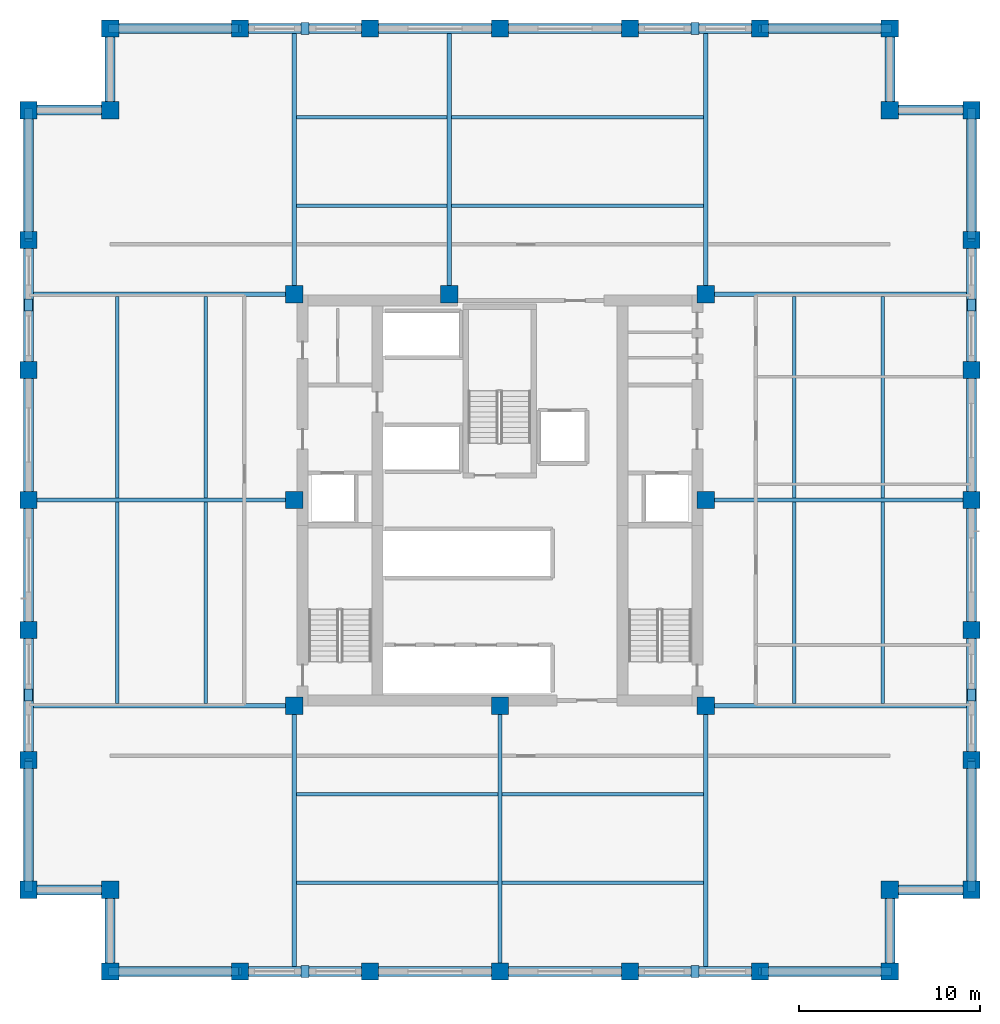
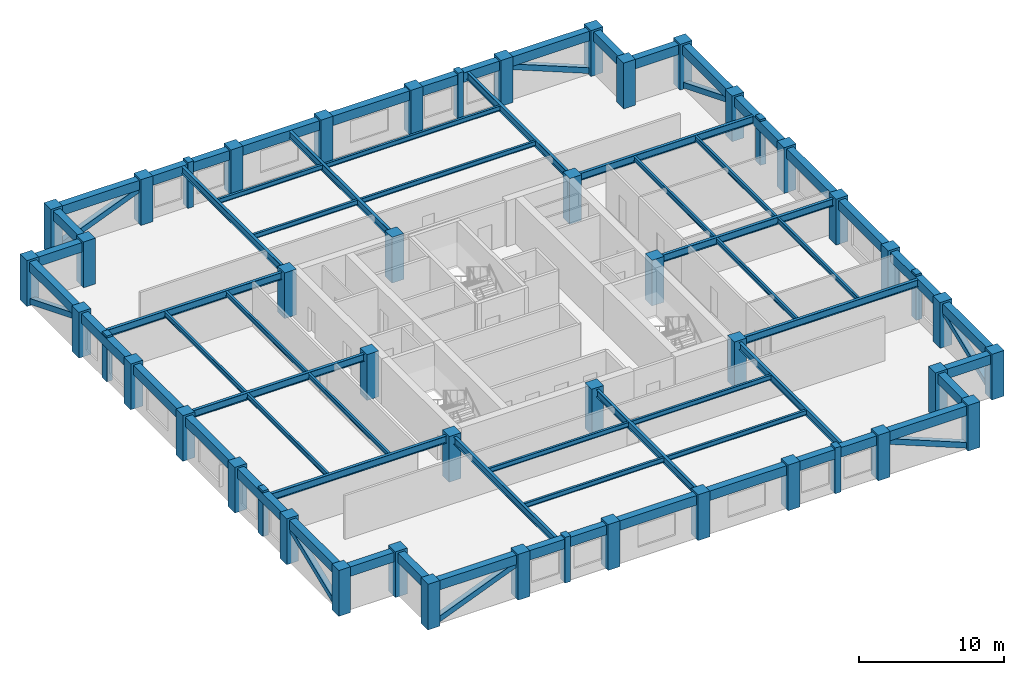
# One storey, part 1 of 9: 60 beams, 40 columns, 16 members.
"""IFC4 building model written with IfcOpenShell, lengths in metres."""

from ifc_helpers import new_model, si_unit, direction, frame, origin, origin_2d, place, context, subcontext, project, spatial, rectangle, hollow_rectangle, i_section, extrude, material, material_profile, profile_set, type_object, element, save


model = new_model("IFC4")

# Units and contexts
model_context = context("Model", 3, precision=1e-05, world=origin(), true_north=direction((0.0, 1.0)))
body_context = subcontext(model_context, "Body", "Model", "MODEL_VIEW")
ifc_project = project(units=[si_unit("LENGTHUNIT", "METRE"), si_unit("AREAUNIT", "SQUARE_METRE"), si_unit("VOLUMEUNIT", "CUBIC_METRE"), si_unit("PLANEANGLEUNIT", "RADIAN"), si_unit("MASSUNIT", "GRAM", prefix="KILO")], contexts=[model_context])

# Site, building, storey
site_placement = place(None, origin())
site = spatial("IfcSite", under=ifc_project, at=site_placement, CompositionType="ELEMENT")
building_placement = place(site_placement, origin())
building = spatial("IfcBuilding", under=site, at=building_placement, Name="Nhamokura Convention Tower", CompositionType="ELEMENT")
storey_placement = place(building_placement, frame((0.0, 0.0, 149.10009765625)))
storey = spatial("IfcBuildingStorey", under=building, at=storey_placement, Name="L36", CompositionType="ELEMENT", Elevation=149.10009765625)

# Columns
ifc_material_1 = material(Name="Concrete C60/75", Category="concrete")
ifc_material_profile_1 = material_profile(ifc_material_1, rectangle(XDim=0.949951171875, YDim=0.949951171875, at=origin_2d()))
ifc_profile_set_1 = profile_set([ifc_material_profile_1], Name="Concrete C60/75")
column_type = type_object("IfcColumnType", Name="TubeColumn_Z2_950", PredefinedType="COLUMN", material=ifc_profile_set_1)
for number, where, z_axis, x_axis, name in (
    (1, (20.64990234375, 20.64990234375, 0.0), (0.0, 0.0, 1.0), (1.0, 0.0, 0.0), "L36 Core Column CC-SW"),
    (2, (32.0, 20.64990234375, 0.0), (0.0, 0.0, 1.0), (1.0, 0.0, 0.0), "L36 Core Column CC-S"),
    (3, (43.35009765625, 20.64990234375, 0.0), (0.0, 0.0, 1.0), (1.0, 0.0, 0.0), "L36 Core Column CC-SE"),
    (4, (43.35009765625, 32.0, 0.0), (0.0, 0.0, 1.0), (1.0, 0.0, 0.0), "L36 Core Column CC-E"),
    (5, (43.35009765625, 43.35009765625, 0.0), (0.0, 0.0, 1.0), (1.0, 0.0, 0.0), "L36 Core Column CC-NE"),
    (6, (29.199951171875, 43.35009765625, 0.0), (0.0, 0.0, 1.0), (1.0, 0.0, 0.0), "L36 Core Column CC-N"),
    (7, (20.64990234375, 43.35009765625, 0.0), (0.0, 0.0, 1.0), (1.0, 0.0, 0.0), "L36 Core Column CC-NW"),
    (8, (20.64990234375, 32.0, 0.0), (0.0, 0.0, 1.0), (1.0, 0.0, 0.0), "L36 Core Column CC-W"),
    (9, (10.5, 6.0, 0.0), (0.0, 0.0, 1.0), (1.0, 0.0, 0.0), "L36 Perimeter Tube Column SW1"),
    (10, (10.5, 10.5, 0.0), (0.0, 0.0, 1.0), (1.0, 0.0, 0.0), "L36 Perimeter Tube Column SW0"),
    (11, (6.0, 10.5, 0.0), (0.0, 0.0, 1.0), (1.0, 0.0, 0.0), "L36 Perimeter Tube Column SW2"),
    (12, (53.5, 6.0, 0.0), (0.0, 0.0, 1.0), (1.0, 0.0, 0.0), "L36 Perimeter Tube Column SE1"),
    (13, (53.5, 10.5, 0.0), (0.0, 0.0, 1.0), (1.0, 0.0, 0.0), "L36 Perimeter Tube Column SE0"),
    (14, (58.0, 10.5, 0.0), (0.0, 0.0, 1.0), (1.0, 0.0, 0.0), "L36 Perimeter Tube Column SE2"),
    (15, (58.0, 53.5, 0.0), (0.0, 0.0, 1.0), (1.0, 0.0, 0.0), "L36 Perimeter Tube Column NE1"),
    (16, (53.5, 53.5, 0.0), (0.0, 0.0, 1.0), (1.0, 0.0, 0.0), "L36 Perimeter Tube Column NE0"),
    (17, (53.5, 58.0, 0.0), (0.0, 0.0, 1.0), (1.0, 0.0, 0.0), "L36 Perimeter Tube Column NE2"),
    (18, (10.5, 58.0, 0.0), (0.0, 0.0, 1.0), (1.0, 0.0, 0.0), "L36 Perimeter Tube Column NW1"),
    (19, (10.5, 53.5, 0.0), (0.0, 0.0, 1.0), (1.0, 0.0, 0.0), "L36 Perimeter Tube Column NW0"),
    (20, (6.0, 53.5, 0.0), (0.0, 0.0, 1.0), (1.0, 0.0, 0.0), "L36 Perimeter Tube Column NW2"),
    (21, (17.666748046875, 6.0, 0.0), (0.0, 0.0, 1.0), (1.0, 0.0, 0.0), "L36 Perimeter Tube Column S1"),
    (22, (17.666748046875, 58.0, 0.0), (0.0, 0.0, 1.0), (1.0, 0.0, 0.0), "L36 Perimeter Tube Column N1"),
    (23, (6.0, 17.666748046875, 0.0), (0.0, 0.0, 1.0), (1.0, 0.0, 0.0), "L36 Perimeter Tube Column W1"),
    (24, (58.0, 17.666748046875, 0.0), (0.0, 0.0, 1.0), (1.0, 0.0, 0.0), "L36 Perimeter Tube Column E1"),
    (25, (24.833251953125, 6.0, 0.0), (0.0, 0.0, 1.0), (1.0, 0.0, 0.0), "L36 Perimeter Tube Column S2"),
    (26, (24.833251953125, 58.0, 0.0), (0.0, 0.0, 1.0), (1.0, 0.0, 0.0), "L36 Perimeter Tube Column N2"),
    (27, (6.0, 24.833251953125, 0.0), (0.0, 0.0, 1.0), (1.0, 0.0, 0.0), "L36 Perimeter Tube Column W2"),
    (28, (58.0, 24.833251953125, 0.0), (0.0, 0.0, 1.0), (1.0, 0.0, 0.0), "L36 Perimeter Tube Column E2"),
    (29, (32.0, 6.0, 0.0), (0.0, 0.0, 1.0), (1.0, 0.0, 0.0), "L36 Perimeter Tube Column S3"),
    (30, (32.0, 58.0, 0.0), (0.0, 0.0, 1.0), (1.0, 0.0, 0.0), "L36 Perimeter Tube Column N3"),
    (31, (6.0, 32.0, 0.0), (0.0, 0.0, 1.0), (1.0, 0.0, 0.0), "L36 Perimeter Tube Column W3"),
    (32, (58.0, 32.0, 0.0), (0.0, 0.0, 1.0), (1.0, 0.0, 0.0), "L36 Perimeter Tube Column E3"),
    (33, (39.166748046875, 6.0, 0.0), (0.0, 0.0, 1.0), (1.0, 0.0, 0.0), "L36 Perimeter Tube Column S4"),
    (34, (39.166748046875, 58.0, 0.0), (0.0, 0.0, 1.0), (1.0, 0.0, 0.0), "L36 Perimeter Tube Column N4"),
    (35, (6.0, 39.166748046875, 0.0), (0.0, 0.0, 1.0), (1.0, 0.0, 0.0), "L36 Perimeter Tube Column W4"),
    (36, (58.0, 39.166748046875, 0.0), (0.0, 0.0, 1.0), (1.0, 0.0, 0.0), "L36 Perimeter Tube Column E4"),
    (37, (46.333251953125, 6.0, 0.0), (0.0, 0.0, 1.0), (1.0, 0.0, 0.0), "L36 Perimeter Tube Column S5"),
    (38, (46.333251953125, 58.0, 0.0), (0.0, 0.0, 1.0), (1.0, 0.0, 0.0), "L36 Perimeter Tube Column N5"),
    (39, (6.0, 46.333251953125, 0.0), (0.0, 0.0, 1.0), (1.0, 0.0, 0.0), "L36 Perimeter Tube Column W5"),
    (40, (58.0, 46.333251953125, 0.0), (0.0, 0.0, 1.0), (1.0, 0.0, 0.0), "L36 Perimeter Tube Column E5"),
):
    element("IfcColumn", number, at=place(storey_placement, frame(where, z_axis=z_axis, x_axis=x_axis)), inside=storey, type_object=column_type, Name=name, PredefinedType="COLUMN", context=body_context, shape_type="SweptSolid", body=[
        extrude(rectangle(XDim=0.949951171875, YDim=0.949951171875, at=origin_2d()), origin(), (0.0, 0.0, 1.0), 3.849853515625),
    ])

# Members
ifc_material_2 = material(Name="Bronze-pigmented precast concrete C45/55", Category="concrete")
ifc_material_profile_2 = material_profile(ifc_material_2, rectangle(XDim=0.449951171875, YDim=0.64990234375, at=origin_2d()))
ifc_profile_set_2 = profile_set([ifc_material_profile_2], Name="Bronze-pigmented precast concrete C45/55")
member_type_1 = type_object("IfcMemberType", Name="BronzePilaster_650", PredefinedType="USERDEFINED", material=ifc_profile_set_2)
for number, where, z_axis, x_axis, name in (
    (41, (21.25, 6.0, 0.0), (0.0, 0.0, 1.0), (1.0, 0.0, 0.0), "L36 Engaged Frame Pilaster SOUTH 1"),
    (42, (42.75, 6.0, 0.0), (0.0, 0.0, 1.0), (1.0, 0.0, 0.0), "L36 Engaged Frame Pilaster SOUTH 4"),
    (43, (21.25, 58.0, 0.0), (0.0, 0.0, 1.0), (1.0, 0.0, 0.0), "L36 Engaged Frame Pilaster NORTH 1"),
    (44, (42.75, 58.0, 0.0), (0.0, 0.0, 1.0), (1.0, 0.0, 0.0), "L36 Engaged Frame Pilaster NORTH 4"),
    (45, (6.0, 21.25, 0.0), (0.0, 0.0, 1.0), (1.0, 0.0, 0.0), "L36 Engaged Frame Pilaster WEST 1"),
    (46, (6.0, 42.75, 0.0), (0.0, 0.0, 1.0), (1.0, 0.0, 0.0), "L36 Engaged Frame Pilaster WEST 4"),
    (47, (58.0, 21.25, 0.0), (0.0, 0.0, 1.0), (1.0, 0.0, 0.0), "L36 Engaged Frame Pilaster EAST 1"),
    (48, (58.0, 42.75, 0.0), (0.0, 0.0, 1.0), (1.0, 0.0, 0.0), "L36 Engaged Frame Pilaster EAST 4"),
):
    element("IfcMember", number, at=place(storey_placement, frame(where, z_axis=z_axis, x_axis=x_axis)), inside=storey, type_object=member_type_1, Name=name, ObjectType="PILASTER_TRIM", PredefinedType="USERDEFINED", context=body_context, shape_type="SweptSolid", body=[
        extrude(rectangle(XDim=0.449951171875, YDim=0.64990234375, at=origin_2d()), origin(), (0.0, 0.0, 1.0), 3.849853515625),
    ])

# Beams
ifc_material_3 = material(Name="Steel ASTM A992 Gr 50", Category="steel")
ifc_material_profile_3 = material_profile(ifc_material_3, i_section(OverallWidth=0.177001953125, OverallDepth=0.403076171875, WebThickness=0.007568359375, FlangeThickness=0.010986328125, at=origin_2d()))
ifc_profile_set_3 = profile_set([ifc_material_profile_3], Name="Steel ASTM A992 Gr 50")
beam_type_1 = type_object("IfcBeamType", Name="FloorJoist_W410X53", PredefinedType="JOIST", material=ifc_profile_set_3)
for number, where, z_axis, x_axis, name in (
    (49, (20.761962890625, 10.88330078125, 3.4833984375), (1.0, 0.0, 0.0), (0.0, 1.0, 0.0), "L36 Composite Floor Joist S1A"),
    (50, (32.112060546875, 10.88330078125, 3.4833984375), (1.0, 0.0, 0.0), (0.0, 1.0, 0.0), "L36 Composite Floor Joist S1B"),
    (51, (20.761962890625, 15.7666015625, 3.4833984375), (1.0, 0.0, 0.0), (0.0, 1.0, 0.0), "L36 Composite Floor Joist S2A"),
    (52, (32.112060546875, 15.7666015625, 3.4833984375), (1.0, 0.0, 0.0), (0.0, 1.0, 0.0), "L36 Composite Floor Joist S2B"),
):
    element("IfcBeam", number, at=place(storey_placement, frame(where, z_axis=z_axis, x_axis=x_axis)), inside=storey, type_object=beam_type_1, Name=name, PredefinedType="JOIST", context=body_context, shape_type="SweptSolid", body=[
        extrude(i_section(OverallWidth=0.177001953125, OverallDepth=0.403076171875, WebThickness=0.007568359375, FlangeThickness=0.010986328125, at=origin_2d()), origin(), (0.0, 0.0, 1.0), 11.1259765625),
    ])
beam_1_placement = place(storey_placement, frame((20.761962890625, 48.2333984375, 3.4833984375), z_axis=(1.0, 0.0, 0.0), x_axis=(0.0, 1.0, 0.0)))
element("IfcBeam", 53, at=beam_1_placement, inside=storey, type_object=beam_type_1, Name="L36 Composite Floor Joist N1A", PredefinedType="JOIST", context=body_context, shape_type="SweptSolid", body=[
    extrude(i_section(OverallWidth=0.177001953125, OverallDepth=0.403076171875, WebThickness=0.007568359375, FlangeThickness=0.010986328125, at=origin_2d()), origin(), (0.0, 0.0, 1.0), 8.325927734375),
])
beam_2_placement = place(storey_placement, frame((29.31201171875, 48.2333984375, 3.4833984375), z_axis=(1.0, 0.0, 0.0), x_axis=(0.0, 1.0, 0.0)))
element("IfcBeam", 54, at=beam_2_placement, inside=storey, type_object=beam_type_1, Name="L36 Composite Floor Joist N1B", PredefinedType="JOIST", context=body_context, shape_type="SweptSolid", body=[
    extrude(i_section(OverallWidth=0.177001953125, OverallDepth=0.403076171875, WebThickness=0.007568359375, FlangeThickness=0.010986328125, at=origin_2d()), origin(), (0.0, 0.0, 1.0), 13.926025390625),
])
beam_3_placement = place(storey_placement, frame((20.761962890625, 53.11669921875, 3.4833984375), z_axis=(1.0, 0.0, 0.0), x_axis=(0.0, 1.0, 0.0)))
element("IfcBeam", 55, at=beam_3_placement, inside=storey, type_object=beam_type_1, Name="L36 Composite Floor Joist N2A", PredefinedType="JOIST", context=body_context, shape_type="SweptSolid", body=[
    extrude(i_section(OverallWidth=0.177001953125, OverallDepth=0.403076171875, WebThickness=0.007568359375, FlangeThickness=0.010986328125, at=origin_2d()), origin(), (0.0, 0.0, 1.0), 8.325927734375),
])
beam_4_placement = place(storey_placement, frame((29.31201171875, 53.11669921875, 3.4833984375), z_axis=(1.0, 0.0, 0.0), x_axis=(0.0, 1.0, 0.0)))
element("IfcBeam", 56, at=beam_4_placement, inside=storey, type_object=beam_type_1, Name="L36 Composite Floor Joist N2B", PredefinedType="JOIST", context=body_context, shape_type="SweptSolid", body=[
    extrude(i_section(OverallWidth=0.177001953125, OverallDepth=0.403076171875, WebThickness=0.007568359375, FlangeThickness=0.010986328125, at=origin_2d()), origin(), (0.0, 0.0, 1.0), 13.926025390625),
])
for number, where, z_axis, x_axis, name in (
    (57, (10.88330078125, 20.761962890625, 3.4833984375), (0.0, 1.0, 0.0), (-1.0, 0.0, 0.0), "L36 Composite Floor Joist W1A"),
    (58, (10.88330078125, 32.112060546875, 3.4833984375), (0.0, 1.0, 0.0), (-1.0, 0.0, 0.0), "L36 Composite Floor Joist W1B"),
    (59, (15.7666015625, 20.761962890625, 3.4833984375), (0.0, 1.0, 0.0), (-1.0, 0.0, 0.0), "L36 Composite Floor Joist W2A"),
    (60, (15.7666015625, 32.112060546875, 3.4833984375), (0.0, 1.0, 0.0), (-1.0, 0.0, 0.0), "L36 Composite Floor Joist W2B"),
    (61, (48.2333984375, 20.761962890625, 3.4833984375), (0.0, 1.0, 0.0), (-1.0, 0.0, 0.0), "L36 Composite Floor Joist E1A"),
    (62, (48.2333984375, 32.112060546875, 3.4833984375), (0.0, 1.0, 0.0), (-1.0, 0.0, 0.0), "L36 Composite Floor Joist E1B"),
    (63, (53.11669921875, 20.761962890625, 3.4833984375), (0.0, 1.0, 0.0), (-1.0, 0.0, 0.0), "L36 Composite Floor Joist E2A"),
    (64, (53.11669921875, 32.112060546875, 3.4833984375), (0.0, 1.0, 0.0), (-1.0, 0.0, 0.0), "L36 Composite Floor Joist E2B"),
):
    element("IfcBeam", number, at=place(storey_placement, frame(where, z_axis=z_axis, x_axis=x_axis)), inside=storey, type_object=beam_type_1, Name=name, PredefinedType="JOIST", context=body_context, shape_type="SweptSolid", body=[
        extrude(i_section(OverallWidth=0.177001953125, OverallDepth=0.403076171875, WebThickness=0.007568359375, FlangeThickness=0.010986328125, at=origin_2d()), origin(), (0.0, 0.0, 1.0), 11.1259765625),
    ])
ifc_material_4 = material(Name="Steel ASTM A992 Gr 50", Category="steel")
ifc_material_profile_4 = material_profile(ifc_material_4, i_section(OverallWidth=0.22802734375, OverallDepth=0.60791015625, WebThickness=0.01123046875, FlangeThickness=0.017333984375, at=origin_2d()))
ifc_profile_set_4 = profile_set([ifc_material_profile_4], Name="Steel ASTM A992 Gr 50")
beam_type_2 = type_object("IfcBeamType", Name="PrimaryGirder_W610X113", PredefinedType="BEAM", material=ifc_profile_set_4)
for number, where, z_axis, x_axis, name in (
    (65, (20.64990234375, 6.0, 3.380859375), (0.0, 1.0, 0.0), (-1.0, 0.0, 0.0), "L36 Primary Floor Girder PG-S1"),
    (66, (32.0, 6.0, 3.380859375), (0.0, 1.0, 0.0), (-1.0, 0.0, 0.0), "L36 Primary Floor Girder PG-S2"),
    (67, (43.35009765625, 6.0, 3.380859375), (0.0, 1.0, 0.0), (-1.0, 0.0, 0.0), "L36 Primary Floor Girder PG-S3"),
    (68, (20.64990234375, 43.35009765625, 3.380859375), (0.0, 1.0, 0.0), (-1.0, 0.0, 0.0), "L36 Primary Floor Girder PG-N1"),
    (69, (29.199951171875, 43.35009765625, 3.380859375), (0.0, 1.0, 0.0), (-1.0, 0.0, 0.0), "L36 Primary Floor Girder PG-N2"),
    (70, (43.35009765625, 43.35009765625, 3.380859375), (0.0, 1.0, 0.0), (-1.0, 0.0, 0.0), "L36 Primary Floor Girder PG-N3"),
    (71, (6.0, 20.64990234375, 3.380859375), (1.0, 0.0, 0.0), (0.0, 1.0, 0.0), "L36 Primary Floor Girder PG-W1"),
    (72, (6.0, 32.0, 3.380859375), (1.0, 0.0, 0.0), (0.0, 1.0, 0.0), "L36 Primary Floor Girder PG-W2"),
    (73, (6.0, 43.35009765625, 3.380859375), (1.0, 0.0, 0.0), (0.0, 1.0, 0.0), "L36 Primary Floor Girder PG-W3"),
    (74, (43.35009765625, 20.64990234375, 3.380859375), (1.0, 0.0, 0.0), (0.0, 1.0, 0.0), "L36 Primary Floor Girder PG-E1"),
    (75, (43.35009765625, 32.0, 3.380859375), (1.0, 0.0, 0.0), (0.0, 1.0, 0.0), "L36 Primary Floor Girder PG-E2"),
    (76, (43.35009765625, 43.35009765625, 3.380859375), (1.0, 0.0, 0.0), (0.0, 1.0, 0.0), "L36 Primary Floor Girder PG-E3"),
):
    element("IfcBeam", number, at=place(storey_placement, frame(where, z_axis=z_axis, x_axis=x_axis)), inside=storey, type_object=beam_type_2, Name=name, PredefinedType="BEAM", context=body_context, shape_type="SweptSolid", body=[
        extrude(i_section(OverallWidth=0.22802734375, OverallDepth=0.60791015625, WebThickness=0.01123046875, FlangeThickness=0.017333984375, at=origin_2d()), origin(), (0.0, 0.0, 1.0), 14.64990234375),
    ])

# Members
ifc_material_5 = material(Name="Steel ASTM A572 Gr 50", Category="steel")
ifc_material_profile_5 = material_profile(ifc_material_5, hollow_rectangle(XDim=0.449951171875, YDim=0.449951171875, WallThickness=0.02197265625, at=origin_2d()))
ifc_profile_set_5 = profile_set([ifc_material_profile_5], Name="Steel ASTM A572 Gr 50")
member_type_2 = type_object("IfcMemberType", Name="TubeBrace_HSS450", PredefinedType="BRACE", material=ifc_profile_set_5)
for number, where, z_axis, x_axis, name in (
    (77, (10.5, 6.0, 0.14990234375), (0.927657166893, 0.0, 0.373432966826), (0.0, 1.0, 0.0), "L36 Perimeter Tube Brace SOUTH Bay 0"),
    (78, (53.5, 6.0, 0.14990234375), (-0.927657166893, 0.0, 0.373432966826), (0.0, -1.0, 0.0), "L36 Perimeter Tube Brace SOUTH Bay 5"),
    (79, (10.5, 58.0, 0.14990234375), (0.927657166893, 0.0, 0.373432966826), (0.0, 1.0, 0.0), "L36 Perimeter Tube Brace NORTH Bay 0"),
    (80, (53.5, 58.0, 0.14990234375), (-0.927657166893, 0.0, 0.373432966826), (0.0, -1.0, 0.0), "L36 Perimeter Tube Brace NORTH Bay 5"),
    (81, (6.0, 10.5, 0.14990234375), (0.0, 0.927657166893, 0.373432966826), (-1.0, 0.0, 0.0), "L36 Perimeter Tube Brace WEST Bay 0"),
    (82, (6.0, 53.5, 0.14990234375), (0.0, -0.927657166893, 0.373432966826), (1.0, 0.0, 0.0), "L36 Perimeter Tube Brace WEST Bay 5"),
    (83, (58.0, 10.5, 0.14990234375), (0.0, 0.927657166893, 0.373432966826), (-1.0, 0.0, 0.0), "L36 Perimeter Tube Brace EAST Bay 0"),
    (84, (58.0, 53.5, 0.14990234375), (0.0, -0.927657166893, 0.373432966826), (1.0, 0.0, 0.0), "L36 Perimeter Tube Brace EAST Bay 5"),
):
    element("IfcMember", number, at=place(storey_placement, frame(where, z_axis=z_axis, x_axis=x_axis)), inside=storey, type_object=member_type_2, Name=name, PredefinedType="BRACE", context=body_context, shape_type="SweptSolid", body=[
        extrude(hollow_rectangle(XDim=0.449951171875, YDim=0.449951171875, WallThickness=0.02197265625, at=origin_2d()), origin(), (0.0, 0.0, 1.0), 7.7255859375),
    ])

# Beams
ifc_material_6 = material(Name="Concrete C50/60", Category="concrete")
ifc_material_profile_6 = material_profile(ifc_material_6, rectangle(XDim=0.550048828125, YDim=0.800048828125, at=origin_2d()))
ifc_profile_set_6 = profile_set([ifc_material_profile_6], Name="Concrete C50/60")
beam_type_3 = type_object("IfcBeamType", Name="TubeSpandrel_800", PredefinedType="SPANDREL", material=ifc_profile_set_6)
beam_5_placement = place(storey_placement, frame((10.5, 6.0, 3.284912109375), z_axis=(1.0, 0.0, 0.0), x_axis=(0.0, 1.0, 0.0)))
element("IfcBeam", 85, at=beam_5_placement, inside=storey, type_object=beam_type_3, Name="L36 Perimeter Spandrel SOUTH 1", PredefinedType="SPANDREL", context=body_context, shape_type="SweptSolid", body=[
    extrude(rectangle(XDim=0.550048828125, YDim=0.800048828125, at=origin_2d()), origin(), (0.0, 0.0, 1.0), 7.166748046875),
])
beam_6_placement = place(storey_placement, frame((17.666748046875, 6.0, 3.284912109375), z_axis=(1.0, 0.0, 0.0), x_axis=(0.0, 1.0, 0.0)))
element("IfcBeam", 86, at=beam_6_placement, inside=storey, type_object=beam_type_3, Name="L36 Perimeter Spandrel SOUTH 2", PredefinedType="SPANDREL", context=body_context, shape_type="SweptSolid", body=[
    extrude(rectangle(XDim=0.550048828125, YDim=0.800048828125, at=origin_2d()), origin(), (0.0, 0.0, 1.0), 7.16650390625),
])
for number, where, z_axis, x_axis, name in (
    (87, (24.833251953125, 6.0, 3.284912109375), (1.0, 0.0, 0.0), (0.0, 1.0, 0.0), "L36 Perimeter Spandrel SOUTH 3"),
    (88, (32.0, 6.0, 3.284912109375), (1.0, 0.0, 0.0), (0.0, 1.0, 0.0), "L36 Perimeter Spandrel SOUTH 4"),
):
    element("IfcBeam", number, at=place(storey_placement, frame(where, z_axis=z_axis, x_axis=x_axis)), inside=storey, type_object=beam_type_3, Name=name, PredefinedType="SPANDREL", context=body_context, shape_type="SweptSolid", body=[
        extrude(rectangle(XDim=0.550048828125, YDim=0.800048828125, at=origin_2d()), origin(), (0.0, 0.0, 1.0), 7.166748046875),
    ])
beam_7_placement = place(storey_placement, frame((39.166748046875, 6.0, 3.284912109375), z_axis=(1.0, 0.0, 0.0), x_axis=(0.0, 1.0, 0.0)))
element("IfcBeam", 89, at=beam_7_placement, inside=storey, type_object=beam_type_3, Name="L36 Perimeter Spandrel SOUTH 5", PredefinedType="SPANDREL", context=body_context, shape_type="SweptSolid", body=[
    extrude(rectangle(XDim=0.550048828125, YDim=0.800048828125, at=origin_2d()), origin(), (0.0, 0.0, 1.0), 7.16650390625),
])
for number, where, z_axis, x_axis, name in (
    (90, (46.333251953125, 6.0, 3.284912109375), (1.0, 0.0, 0.0), (0.0, 1.0, 0.0), "L36 Perimeter Spandrel SOUTH 6"),
    (91, (10.5, 58.0, 3.284912109375), (1.0, 0.0, 0.0), (0.0, 1.0, 0.0), "L36 Perimeter Spandrel NORTH 1"),
):
    element("IfcBeam", number, at=place(storey_placement, frame(where, z_axis=z_axis, x_axis=x_axis)), inside=storey, type_object=beam_type_3, Name=name, PredefinedType="SPANDREL", context=body_context, shape_type="SweptSolid", body=[
        extrude(rectangle(XDim=0.550048828125, YDim=0.800048828125, at=origin_2d()), origin(), (0.0, 0.0, 1.0), 7.166748046875),
    ])
beam_8_placement = place(storey_placement, frame((17.666748046875, 58.0, 3.284912109375), z_axis=(1.0, 0.0, 0.0), x_axis=(0.0, 1.0, 0.0)))
element("IfcBeam", 92, at=beam_8_placement, inside=storey, type_object=beam_type_3, Name="L36 Perimeter Spandrel NORTH 2", PredefinedType="SPANDREL", context=body_context, shape_type="SweptSolid", body=[
    extrude(rectangle(XDim=0.550048828125, YDim=0.800048828125, at=origin_2d()), origin(), (0.0, 0.0, 1.0), 7.16650390625),
])
for number, where, z_axis, x_axis, name in (
    (93, (24.833251953125, 58.0, 3.284912109375), (1.0, 0.0, 0.0), (0.0, 1.0, 0.0), "L36 Perimeter Spandrel NORTH 3"),
    (94, (32.0, 58.0, 3.284912109375), (1.0, 0.0, 0.0), (0.0, 1.0, 0.0), "L36 Perimeter Spandrel NORTH 4"),
):
    element("IfcBeam", number, at=place(storey_placement, frame(where, z_axis=z_axis, x_axis=x_axis)), inside=storey, type_object=beam_type_3, Name=name, PredefinedType="SPANDREL", context=body_context, shape_type="SweptSolid", body=[
        extrude(rectangle(XDim=0.550048828125, YDim=0.800048828125, at=origin_2d()), origin(), (0.0, 0.0, 1.0), 7.166748046875),
    ])
beam_9_placement = place(storey_placement, frame((39.166748046875, 58.0, 3.284912109375), z_axis=(1.0, 0.0, 0.0), x_axis=(0.0, 1.0, 0.0)))
element("IfcBeam", 95, at=beam_9_placement, inside=storey, type_object=beam_type_3, Name="L36 Perimeter Spandrel NORTH 5", PredefinedType="SPANDREL", context=body_context, shape_type="SweptSolid", body=[
    extrude(rectangle(XDim=0.550048828125, YDim=0.800048828125, at=origin_2d()), origin(), (0.0, 0.0, 1.0), 7.16650390625),
])
for number, where, z_axis, x_axis, name in (
    (96, (46.333251953125, 58.0, 3.284912109375), (1.0, 0.0, 0.0), (0.0, 1.0, 0.0), "L36 Perimeter Spandrel NORTH 6"),
    (97, (6.0, 10.5, 3.284912109375), (0.0, 1.0, 0.0), (-1.0, 0.0, 0.0), "L36 Perimeter Spandrel WEST 1"),
):
    element("IfcBeam", number, at=place(storey_placement, frame(where, z_axis=z_axis, x_axis=x_axis)), inside=storey, type_object=beam_type_3, Name=name, PredefinedType="SPANDREL", context=body_context, shape_type="SweptSolid", body=[
        extrude(rectangle(XDim=0.550048828125, YDim=0.800048828125, at=origin_2d()), origin(), (0.0, 0.0, 1.0), 7.166748046875),
    ])
beam_10_placement = place(storey_placement, frame((6.0, 17.666748046875, 3.284912109375), z_axis=(0.0, 1.0, 0.0), x_axis=(-1.0, 0.0, 0.0)))
element("IfcBeam", 98, at=beam_10_placement, inside=storey, type_object=beam_type_3, Name="L36 Perimeter Spandrel WEST 2", PredefinedType="SPANDREL", context=body_context, shape_type="SweptSolid", body=[
    extrude(rectangle(XDim=0.550048828125, YDim=0.800048828125, at=origin_2d()), origin(), (0.0, 0.0, 1.0), 7.16650390625),
])
for number, where, z_axis, x_axis, name in (
    (99, (6.0, 24.833251953125, 3.284912109375), (0.0, 1.0, 0.0), (-1.0, 0.0, 0.0), "L36 Perimeter Spandrel WEST 3"),
    (100, (6.0, 32.0, 3.284912109375), (0.0, 1.0, 0.0), (-1.0, 0.0, 0.0), "L36 Perimeter Spandrel WEST 4"),
):
    element("IfcBeam", number, at=place(storey_placement, frame(where, z_axis=z_axis, x_axis=x_axis)), inside=storey, type_object=beam_type_3, Name=name, PredefinedType="SPANDREL", context=body_context, shape_type="SweptSolid", body=[
        extrude(rectangle(XDim=0.550048828125, YDim=0.800048828125, at=origin_2d()), origin(), (0.0, 0.0, 1.0), 7.166748046875),
    ])
beam_11_placement = place(storey_placement, frame((6.0, 39.166748046875, 3.284912109375), z_axis=(0.0, 1.0, 0.0), x_axis=(-1.0, 0.0, 0.0)))
element("IfcBeam", 101, at=beam_11_placement, inside=storey, type_object=beam_type_3, Name="L36 Perimeter Spandrel WEST 5", PredefinedType="SPANDREL", context=body_context, shape_type="SweptSolid", body=[
    extrude(rectangle(XDim=0.550048828125, YDim=0.800048828125, at=origin_2d()), origin(), (0.0, 0.0, 1.0), 7.16650390625),
])
for number, where, z_axis, x_axis, name in (
    (102, (6.0, 46.333251953125, 3.284912109375), (0.0, 1.0, 0.0), (-1.0, 0.0, 0.0), "L36 Perimeter Spandrel WEST 6"),
    (103, (58.0, 10.5, 3.284912109375), (0.0, 1.0, 0.0), (-1.0, 0.0, 0.0), "L36 Perimeter Spandrel EAST 1"),
):
    element("IfcBeam", number, at=place(storey_placement, frame(where, z_axis=z_axis, x_axis=x_axis)), inside=storey, type_object=beam_type_3, Name=name, PredefinedType="SPANDREL", context=body_context, shape_type="SweptSolid", body=[
        extrude(rectangle(XDim=0.550048828125, YDim=0.800048828125, at=origin_2d()), origin(), (0.0, 0.0, 1.0), 7.166748046875),
    ])
beam_12_placement = place(storey_placement, frame((58.0, 17.666748046875, 3.284912109375), z_axis=(0.0, 1.0, 0.0), x_axis=(-1.0, 0.0, 0.0)))
element("IfcBeam", 104, at=beam_12_placement, inside=storey, type_object=beam_type_3, Name="L36 Perimeter Spandrel EAST 2", PredefinedType="SPANDREL", context=body_context, shape_type="SweptSolid", body=[
    extrude(rectangle(XDim=0.550048828125, YDim=0.800048828125, at=origin_2d()), origin(), (0.0, 0.0, 1.0), 7.16650390625),
])
for number, where, z_axis, x_axis, name in (
    (105, (58.0, 24.833251953125, 3.284912109375), (0.0, 1.0, 0.0), (-1.0, 0.0, 0.0), "L36 Perimeter Spandrel EAST 3"),
    (106, (58.0, 32.0, 3.284912109375), (0.0, 1.0, 0.0), (-1.0, 0.0, 0.0), "L36 Perimeter Spandrel EAST 4"),
):
    element("IfcBeam", number, at=place(storey_placement, frame(where, z_axis=z_axis, x_axis=x_axis)), inside=storey, type_object=beam_type_3, Name=name, PredefinedType="SPANDREL", context=body_context, shape_type="SweptSolid", body=[
        extrude(rectangle(XDim=0.550048828125, YDim=0.800048828125, at=origin_2d()), origin(), (0.0, 0.0, 1.0), 7.166748046875),
    ])
beam_13_placement = place(storey_placement, frame((58.0, 39.166748046875, 3.284912109375), z_axis=(0.0, 1.0, 0.0), x_axis=(-1.0, 0.0, 0.0)))
element("IfcBeam", 107, at=beam_13_placement, inside=storey, type_object=beam_type_3, Name="L36 Perimeter Spandrel EAST 5", PredefinedType="SPANDREL", context=body_context, shape_type="SweptSolid", body=[
    extrude(rectangle(XDim=0.550048828125, YDim=0.800048828125, at=origin_2d()), origin(), (0.0, 0.0, 1.0), 7.16650390625),
])
beam_14_placement = place(storey_placement, frame((58.0, 46.333251953125, 3.284912109375), z_axis=(0.0, 1.0, 0.0), x_axis=(-1.0, 0.0, 0.0)))
element("IfcBeam", 108, at=beam_14_placement, inside=storey, type_object=beam_type_3, Name="L36 Perimeter Spandrel EAST 6", PredefinedType="SPANDREL", context=body_context, shape_type="SweptSolid", body=[
    extrude(rectangle(XDim=0.550048828125, YDim=0.800048828125, at=origin_2d()), origin(), (0.0, 0.0, 1.0), 7.166748046875),
])
for number, where, z_axis, x_axis, name in (
    (109, (10.5, 6.0, 3.284912109375), (0.0, 1.0, 0.0), (-1.0, 0.0, 0.0), "L36 Notch Spandrel SW1"),
    (110, (10.5, 10.5, 3.284912109375), (-1.0, 0.0, 0.0), (0.0, -1.0, 0.0), "L36 Notch Spandrel SW2"),
    (111, (53.5, 6.0, 3.284912109375), (0.0, 1.0, 0.0), (-1.0, 0.0, 0.0), "L36 Notch Spandrel SE1"),
    (112, (53.5, 10.5, 3.284912109375), (1.0, 0.0, 0.0), (0.0, 1.0, 0.0), "L36 Notch Spandrel SE2"),
    (113, (58.0, 53.5, 3.284912109375), (-1.0, 0.0, 0.0), (0.0, -1.0, 0.0), "L36 Notch Spandrel NE1"),
    (114, (53.5, 53.5, 3.284912109375), (0.0, 1.0, 0.0), (-1.0, 0.0, 0.0), "L36 Notch Spandrel NE2"),
    (115, (10.5, 58.0, 3.284912109375), (0.0, -1.0, 0.0), (1.0, 0.0, 0.0), "L36 Notch Spandrel NW1"),
    (116, (10.5, 53.5, 3.284912109375), (-1.0, 0.0, 0.0), (0.0, -1.0, 0.0), "L36 Notch Spandrel NW2"),
):
    element("IfcBeam", number, at=place(storey_placement, frame(where, z_axis=z_axis, x_axis=x_axis)), inside=storey, type_object=beam_type_3, Name=name, PredefinedType="SPANDREL", context=body_context, shape_type="SweptSolid", body=[
        extrude(rectangle(XDim=0.550048828125, YDim=0.800048828125, at=origin_2d()), origin(), (0.0, 0.0, 1.0), 4.5),
    ])

save(model, "model.ifc")
